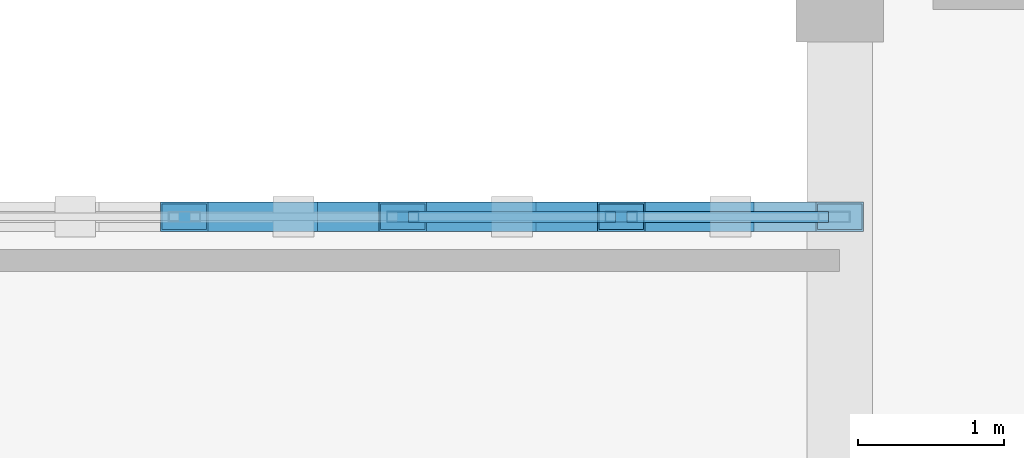
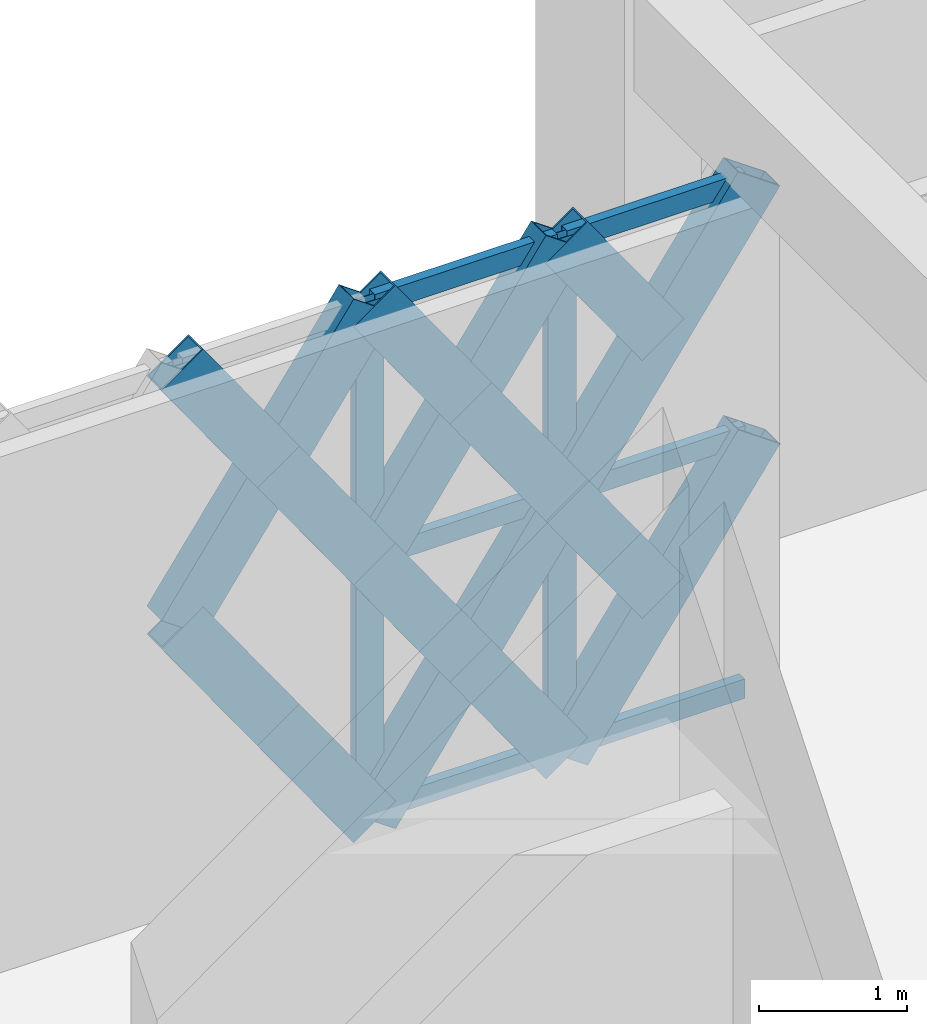
# One storey, part 52 of 140: 23 members, 1 element without a shape of its own.
"""IFC4 building model written with IfcOpenShell, lengths in metres."""

import ifcopenshell
import ifcopenshell.guid

model = None  # the IFC model being written
_history = None  # IfcOwnerHistory: only IFC2X3 demands one
_inside = {}  # id of a spatial element -> (the spatial element, [elements in it])
_under = {}  # id of a project, library or spatial element -> (it, [spatial elements below it])
_declared = {}  # id of a project -> (the project, [libraries it declares])
_typed = {}  # id of a type object -> (the type object, [elements of that type])
_made_of = {}  # id of a material, layer set ... -> (it, [elements and type objects made of it])


def new_model(schema):
    """Start an empty IFC model of exactly this schema.

    Asked for "IFC4X3", IfcOpenShell would pick the latest addendum, in which some entities
    have other attributes; the version numbers below select the first issue.
    IFC2X3 requires an IfcOwnerHistory on every rooted entity: one is made here for all.
    """
    global model, _history
    if schema == "IFC4X3":
        model = ifcopenshell.file(schema_version=(4, 3, 0, 0))
    else:
        model = ifcopenshell.file(schema=schema)
    _inside.clear()
    _under.clear()
    _declared.clear()
    _typed.clear()
    _made_of.clear()
    _history = None
    if model.schema == "IFC2X3":
        org = make("IfcOrganization", Name="unknown")
        user = make(
            "IfcPersonAndOrganization",
            ThePerson=make("IfcPerson", FamilyName="unknown"),
            TheOrganization=org,
        )
        app = make(
            "IfcApplication",
            ApplicationDeveloper=org,
            Version="unknown",
            ApplicationFullName="unknown",
            ApplicationIdentifier="unknown",
        )
        _history = make(
            "IfcOwnerHistory",
            OwningUser=user,
            OwningApplication=app,
            ChangeAction="ADDED",
            CreationDate=0,
        )
    return model


def make(cls, **values):
    """One entity of the class cls with the attributes given. An attribute that is None is left unset."""
    return model.create_entity(
        cls, **{name: value for name, value in values.items() if value is not None}
    )


def rooted(cls, **values):
    """An entity with a GlobalId (a new one), such as an element, a storey or a relation."""
    return make(cls, GlobalId=ifcopenshell.guid.new(), OwnerHistory=_history, **values)


def si_unit(unit_type, name, prefix=None):
    """IfcSIUnit, for example si_unit("LENGTHUNIT", "METRE", prefix="MILLI")."""
    return make("IfcSIUnit", UnitType=unit_type, Prefix=prefix, Name=name)


def assignment(units):
    """IfcUnitAssignment: the units of a project."""
    return None if units is None else make("IfcUnitAssignment", Units=units)


def point(xyz):
    """IfcCartesianPoint."""
    return None if xyz is None else make("IfcCartesianPoint", Coordinates=xyz)


def direction(xyz):
    """IfcDirection."""
    return None if xyz is None else make("IfcDirection", DirectionRatios=xyz)


def frame(location, z_axis=None, x_axis=None):
    """IfcAxis2Placement3D, a coordinate frame: its origin and axes. An axis left out is left unset."""
    return make(
        "IfcAxis2Placement3D",
        Location=point(location),
        Axis=direction(z_axis),
        RefDirection=direction(x_axis),
    )


def frame_2d(location, x_axis=None):
    """IfcAxis2Placement2D, a coordinate frame in the plane: its origin and x axis."""
    return make(
        "IfcAxis2Placement2D", Location=point(location), RefDirection=direction(x_axis)
    )


def origin():
    """The frame at (0, 0, 0) with its axes left unset."""
    return frame((0.0, 0.0, 0.0))


def origin_2d():
    """The frame at (0, 0) in the plane with its x axis left unset."""
    return frame_2d((0.0, 0.0))


def place(relative_to, where):
    """IfcLocalPlacement: puts the frame where relative to a parent placement (None: the world)."""
    return make(
        "IfcLocalPlacement", PlacementRelTo=relative_to, RelativePlacement=where
    )


def context(
    kind, dimensions, precision=None, world=None, true_north=None, identifier=None
):
    """IfcGeometricRepresentationContext, for example the 3D "Model" context."""
    return make(
        "IfcGeometricRepresentationContext",
        ContextIdentifier=identifier,
        ContextType=kind,
        CoordinateSpaceDimension=dimensions,
        Precision=precision,
        WorldCoordinateSystem=world,
        TrueNorth=true_north,
    )


def subcontext(parent, identifier, kind, view, scale=None):
    """IfcGeometricRepresentationSubContext, for example "Body" below "Model"."""
    return make(
        "IfcGeometricRepresentationSubContext",
        ContextIdentifier=identifier,
        ContextType=kind,
        ParentContext=parent,
        TargetScale=scale,
        TargetView=view,
    )


def project(units=None, contexts=None):
    """IfcProject with its units and contexts."""
    return rooted(
        "IfcProject",
        Name="project",
        RepresentationContexts=contexts,
        UnitsInContext=assignment(units),
    )


def spatial(cls, under=None, at=None, **own):
    """A site, building, storey or space (cls), placed at a placement, below another one or the project."""
    s = rooted(cls, ObjectPlacement=at, **own)
    if under is not None:
        _under.setdefault(under.id(), (under, []))[1].append(s)
    return s


def profile(cls, at=None, kind="AREA", **sizes):
    """A parametric profile (cls). Its sizes go by their IFC names, for example OverallWidth=200.0."""
    return make(cls, ProfileType=kind, Position=at, **sizes)


def hollow_rectangle(**sizes):
    """IfcRectangleHollowProfileDef."""
    return profile("IfcRectangleHollowProfileDef", **sizes)


def extrude(swept, where, along, depth):
    """IfcExtrudedAreaSolid: the profile swept, set in the frame where, extruded along a direction by depth."""
    return make(
        "IfcExtrudedAreaSolid",
        SweptArea=swept,
        Position=where,
        ExtrudedDirection=direction(along),
        Depth=depth,
    )


def shape(context_of_items, identifier, shape_type, items):
    """IfcShapeRepresentation: the items that make up one representation, for example the "Body"."""
    return make(
        "IfcShapeRepresentation",
        ContextOfItems=context_of_items,
        RepresentationIdentifier=identifier,
        RepresentationType=shape_type,
        Items=items,
    )


def material(Name=None, Category=None):
    """IfcMaterial."""
    return make("IfcMaterial", Name=Name, Category=Category)


def material_profile(
    of_material, cross_section, Name=None, Category=None, Priority=None
):
    """IfcMaterialProfile: a cross section and its material."""
    return make(
        "IfcMaterialProfile",
        Name=Name,
        Material=of_material,
        Profile=cross_section,
        Priority=Priority,
        Category=Category,
    )


def profile_set(profiles, Name=None, composite=None):
    """IfcMaterialProfileSet."""
    return make(
        "IfcMaterialProfileSet",
        Name=Name,
        MaterialProfiles=profiles,
        CompositeProfile=composite,
    )


def made_of(thing, what):
    """Note that an element or type object is made of a material, layer set ...; save() writes the relation."""
    if what is not None:
        _made_of.setdefault(what.id(), (what, []))[1].append(thing)
    return thing


def type_object(cls, material=None, **own):
    """A type object (cls), such as IfcWallType, which elements share."""
    return made_of(rooted(cls, **own), material)


def element(
    cls,
    number,
    at=None,
    inside=None,
    cuts=None,
    type_object=None,
    material=None,
    context=None,
    identifier="Body",
    shape_type=None,
    held_by="IfcProductDefinitionShape",
    body=None,
    shapes=None,
    **own,
):
    """One element of the class cls, such as IfcWall. Its Tag is "e" and its number.

    at: its placement. inside: the storey or other place that contains it. cuts: it is an
    opening in that element (IfcRelVoidsElement). A single representation is given by context,
    identifier, shape_type and body (its items); several are given by shapes. held_by: the class
    of the entity that holds the representations. save() writes the other relations.
    """
    e = rooted(cls, Tag="e%d" % number, ObjectPlacement=at, **own)
    if body is not None:
        shapes = [shape(context, identifier, shape_type, body)]
    if shapes is not None:
        e.Representation = make(held_by, Representations=shapes)
    if inside is not None:
        _inside.setdefault(inside.id(), (inside, []))[1].append(e)
    if cuts is not None:
        rooted(
            "IfcRelVoidsElement", RelatingBuildingElement=cuts, RelatedOpeningElement=e
        )
    if type_object is not None:
        _typed.setdefault(type_object.id(), (type_object, []))[1].append(e)
    return made_of(e, material)


def aggregate(whole, parts):
    """IfcRelAggregates: a whole, such as a stair, and the parts it consists of."""
    return rooted("IfcRelAggregates", RelatingObject=whole, RelatedObjects=parts)


def save(model, path):
    """Write the relations noted so far, then the file.

    IfcRelAggregates (storeys below a building ...), IfcRelContainedInSpatialStructure (elements
    in a storey), IfcRelDefinesByType, IfcRelAssociatesMaterial and IfcRelDeclares: one each for
    every whole, place, type object, material and project.
    """
    for whole, parts in _under.values():
        aggregate(whole, parts)
    for where, things in _inside.values():
        rooted(
            "IfcRelContainedInSpatialStructure",
            RelatedElements=things,
            RelatingStructure=where,
        )
    for kind, things in _typed.values():
        rooted("IfcRelDefinesByType", RelatedObjects=things, RelatingType=kind)
    for what, things in _made_of.values():
        rooted("IfcRelAssociatesMaterial", RelatedObjects=things, RelatingMaterial=what)
    for by, libraries in _declared.values():
        rooted("IfcRelDeclares", RelatingContext=by, RelatedDefinitions=libraries)
    model.write(path)


model = new_model("IFC4")

# Units and contexts
model_context = context("Model", 3, precision=1e-05, world=origin(), true_north=direction((0.0, 1.0)))
body_context = subcontext(model_context, "Body", "Model", "MODEL_VIEW")
ifc_project = project(units=[si_unit("LENGTHUNIT", "METRE"), si_unit("AREAUNIT", "SQUARE_METRE"), si_unit("VOLUMEUNIT", "CUBIC_METRE"), si_unit("PLANEANGLEUNIT", "RADIAN"), si_unit("MASSUNIT", "GRAM", prefix="KILO")], contexts=[model_context])

# Site, building, storey
site_placement = place(None, origin())
site = spatial("IfcSite", under=ifc_project, at=site_placement, CompositionType="ELEMENT")
building_placement = place(site_placement, origin())
building = spatial("IfcBuilding", under=site, at=building_placement, Name="Haizhuo Lancet Aquarium", CompositionType="ELEMENT")
storey_placement = place(building_placement, origin())
storey = spatial("IfcBuildingStorey", under=building, at=storey_placement, Name="L00", CompositionType="ELEMENT", Elevation=0.0)

# Curtain wall, members
ifc_material_1 = material(Name="Aluminium 6063-T6", Category="aluminium")
curtain_wall_type = type_object("IfcCurtainWallType", Name="CWD-9000x4260", PredefinedType="NOTDEFINED", material=ifc_material_1)
curtain_wall_placement = place(storey_placement, origin())
curtain_wall = element("IfcCurtainWall", 1, at=curtain_wall_placement, inside=storey, type_object=curtain_wall_type, Name="L00 curtain wall CW-V5-L00-116", PredefinedType="NOTDEFINED")
ifc_material_profile_1 = material_profile(ifc_material_1, hollow_rectangle(XDim=0.074951171875, YDim=0.219970703125, WallThickness=0.0048828125, at=origin_2d()), Name="ALU-M 75x220x5")
ifc_profile_set_1 = profile_set([ifc_material_profile_1], Name="Aluminium 6063-T6")
member_type_1 = type_object("IfcMemberType", Name="CW-MUL-2", PredefinedType="MULLION", material=ifc_profile_set_1)
member_1_placement = place(storey_placement, frame((-21.0, 54.0, 0.0), z_axis=(0.0, 0.0, 1.0), x_axis=(0.0, 1.0, 0.0)))
member_1 = element("IfcMember", 2, at=member_1_placement, type_object=member_type_1, Name="CWD-90x42 mullion 5", PredefinedType="MULLION", context=body_context, shape_type="SweptSolid", body=[
    extrude(hollow_rectangle(XDim=0.074951171875, YDim=0.219970703125, WallThickness=0.0048828125, at=origin_2d()), origin(), (0.0, 0.0, 1.0), 4.2548828125),
])
member_2_placement = place(storey_placement, frame((-19.5, 54.0, 0.0), z_axis=(0.0, 0.0, 1.0), x_axis=(0.0, 1.0, 0.0)))
member_2 = element("IfcMember", 3, at=member_2_placement, type_object=member_type_1, Name="CWD-90x42 mullion 6", PredefinedType="MULLION", context=body_context, shape_type="SweptSolid", body=[
    extrude(hollow_rectangle(XDim=0.074951171875, YDim=0.219970703125, WallThickness=0.0048828125, at=origin_2d()), origin(), (0.0, 0.0, 1.0), 4.2548828125),
])
ifc_material_profile_2 = material_profile(ifc_material_1, hollow_rectangle(XDim=0.074951171875, YDim=0.159912109375, WallThickness=0.00390625, at=origin_2d()), Name="ALU-T 75x160x4")
ifc_profile_set_2 = profile_set([ifc_material_profile_2], Name="Aluminium 6063-T6")
member_type_2 = type_object("IfcMemberType", Name="CW-TRN-2", PredefinedType="NOTDEFINED", material=ifc_profile_set_2)
member_3_placement = place(storey_placement, frame((-20.9619140625, 54.0, 0.037109375), z_axis=(1.0, 0.0, 0.0), x_axis=(0.0, 1.0, 0.0)))
member_3 = element("IfcMember", 4, at=member_3_placement, type_object=member_type_2, Name="CWD-90x42 transom 5.1", ObjectType="TRANSOM", PredefinedType="USERDEFINED", context=body_context, shape_type="SweptSolid", body=[
    extrude(hollow_rectangle(XDim=0.074951171875, YDim=0.159912109375, WallThickness=0.00390625, at=origin_2d()), origin(), (0.0, 0.0, 1.0), 1.423828125),
])
member_4_placement = place(storey_placement, frame((-20.9619140625, 54.0, 2.126953125), z_axis=(1.0, 0.0, 0.0), x_axis=(0.0, 1.0, 0.0)))
member_4 = element("IfcMember", 5, at=member_4_placement, type_object=member_type_2, Name="CWD-90x42 transom 5.2", ObjectType="TRANSOM", PredefinedType="USERDEFINED", context=body_context, shape_type="SweptSolid", body=[
    extrude(hollow_rectangle(XDim=0.074951171875, YDim=0.159912109375, WallThickness=0.00390625, at=origin_2d()), origin(), (0.0, 0.0, 1.0), 1.423828125),
])
member_5_placement = place(storey_placement, frame((-20.9619140625, 54.0, 4.218017578125), z_axis=(1.0, 0.0, 0.0), x_axis=(0.0, 1.0, 0.0)))
member_5 = element("IfcMember", 6, at=member_5_placement, type_object=member_type_2, Name="CWD-90x42 transom 5.3", ObjectType="TRANSOM", PredefinedType="USERDEFINED", context=body_context, shape_type="SweptSolid", body=[
    extrude(hollow_rectangle(XDim=0.074951171875, YDim=0.159912109375, WallThickness=0.00390625, at=origin_2d()), origin(), (0.0, 0.0, 1.0), 1.423828125),
])
member_6_placement = place(storey_placement, frame((-19.4619140625, 54.0, 0.037109375), z_axis=(1.0, 0.0, 0.0), x_axis=(0.0, 1.0, 0.0)))
member_6 = element("IfcMember", 7, at=member_6_placement, type_object=member_type_2, Name="CWD-90x42 transom 6.1", ObjectType="TRANSOM", PredefinedType="USERDEFINED", context=body_context, shape_type="SweptSolid", body=[
    extrude(hollow_rectangle(XDim=0.074951171875, YDim=0.159912109375, WallThickness=0.00390625, at=origin_2d()), origin(), (0.0, 0.0, 1.0), 1.386962890625),
])
member_7_placement = place(storey_placement, frame((-19.4619140625, 54.0, 2.126953125), z_axis=(1.0, 0.0, 0.0), x_axis=(0.0, 1.0, 0.0)))
member_7 = element("IfcMember", 8, at=member_7_placement, type_object=member_type_2, Name="CWD-90x42 transom 6.2", ObjectType="TRANSOM", PredefinedType="USERDEFINED", context=body_context, shape_type="SweptSolid", body=[
    extrude(hollow_rectangle(XDim=0.074951171875, YDim=0.159912109375, WallThickness=0.00390625, at=origin_2d()), origin(), (0.0, 0.0, 1.0), 1.386962890625),
])
member_8_placement = place(storey_placement, frame((-19.4619140625, 54.0, 4.218017578125), z_axis=(1.0, 0.0, 0.0), x_axis=(0.0, 1.0, 0.0)))
member_8 = element("IfcMember", 9, at=member_8_placement, type_object=member_type_2, Name="CWD-90x42 transom 6.3", ObjectType="TRANSOM", PredefinedType="USERDEFINED", context=body_context, shape_type="SweptSolid", body=[
    extrude(hollow_rectangle(XDim=0.074951171875, YDim=0.159912109375, WallThickness=0.00390625, at=origin_2d()), origin(), (0.0, 0.0, 1.0), 1.386962890625),
])
aggregate(curtain_wall, [member_1, member_2, member_3, member_4, member_5, member_6, member_7, member_8])

# Members
ifc_material_2 = material(Name="Steel S355", Category="steel")
ifc_material_profile_3 = material_profile(ifc_material_2, hollow_rectangle(XDim=0.199951171875, YDim=0.39990234375, WallThickness=0.011962890625, at=origin_2d()), Name="RHS 200x400x12")
ifc_profile_set_3 = profile_set([ifc_material_profile_3], Name="Steel S355")
member_type_3 = type_object("IfcMemberType", Name="MEM-LB-RHS200x400", PredefinedType="BRACE", material=ifc_profile_set_3)
member_9_placement = place(storey_placement, frame((-21.0, 54.0, 0.0), z_axis=(-0.576506354413, 0.0, 0.817092665076), x_axis=(0.0, -1.0, 0.0)))
element("IfcMember", 10, at=member_9_placement, inside=storey, type_object=member_type_3, Name="Gothic lancet split diagonal brace CW-V5-L00-116 7B1", PredefinedType="BRACE", context=body_context, shape_type="SweptSolid", body=[
    extrude(hollow_rectangle(XDim=0.199951171875, YDim=0.39990234375, WallThickness=0.011962890625, at=origin_2d()), origin(), (0.0, 0.0, 1.0), 1.301025390625),
])
member_10_placement = place(storey_placement, frame((-21.75, 54.0, 1.06298828125), z_axis=(-0.57615291237, 0.0, 0.817341924514), x_axis=(0.0, -1.0, 0.0)))
element("IfcMember", 11, at=member_10_placement, inside=storey, type_object=member_type_3, Name="Gothic lancet split diagonal brace CW-V5-L00-116 7B2", PredefinedType="BRACE", context=body_context, shape_type="SweptSolid", body=[
    extrude(hollow_rectangle(XDim=0.199951171875, YDim=0.39990234375, WallThickness=0.011962890625, at=origin_2d()), origin(), (0.0, 0.0, 1.0), 1.3017578125),
])
member_11_placement = place(storey_placement, frame((-22.5, 54.0, 2.126953125), z_axis=(0.57615291237, 0.0, 0.817341924514), x_axis=(0.0, 1.0, 0.0)))
element("IfcMember", 12, at=member_11_placement, inside=storey, type_object=member_type_3, Name="Gothic lancet continuous diagonal brace CW-V5-L00-116 8A", PredefinedType="BRACE", context=body_context, shape_type="SweptSolid", body=[
    extrude(hollow_rectangle(XDim=0.199951171875, YDim=0.39990234375, WallThickness=0.011962890625, at=origin_2d()), origin(), (0.0, 0.0, 1.0), 2.603515625),
])
for number, where, z_axis, x_axis, name in (
    (13, (-21.0, 54.0, 2.126953125), (-0.57615291237, 0.0, 0.817341924514), (0.0, -1.0, 0.0), "Gothic lancet split diagonal brace CW-V5-L00-116 8B1"),
    (14, (-21.75, 54.0, 3.19091796875), (-0.57615291237, 0.0, 0.817341924514), (0.0, -1.0, 0.0), "Gothic lancet split diagonal brace CW-V5-L00-116 8B2"),
):
    element("IfcMember", number, at=place(storey_placement, frame(where, z_axis=z_axis, x_axis=x_axis)), inside=storey, type_object=member_type_3, Name=name, PredefinedType="BRACE", context=body_context, shape_type="SweptSolid", body=[
        extrude(hollow_rectangle(XDim=0.199951171875, YDim=0.39990234375, WallThickness=0.011962890625, at=origin_2d()), origin(), (0.0, 0.0, 1.0), 1.3017578125),
    ])
member_12_placement = place(storey_placement, frame((-21.0, 54.0, 0.0), z_axis=(0.576329592678, 0.0, 0.817217352118), x_axis=(0.0, 1.0, 0.0)))
element("IfcMember", 15, at=member_12_placement, inside=storey, type_object=member_type_3, Name="Gothic lancet continuous diagonal brace CW-V5-L00-116 9A", PredefinedType="BRACE", context=body_context, shape_type="SweptSolid", body=[
    extrude(hollow_rectangle(XDim=0.199951171875, YDim=0.39990234375, WallThickness=0.011962890625, at=origin_2d()), origin(), (0.0, 0.0, 1.0), 2.602783203125),
])
member_13_placement = place(storey_placement, frame((-19.5, 54.0, 0.0), z_axis=(-0.576506354413, 0.0, 0.817092665076), x_axis=(0.0, -1.0, 0.0)))
element("IfcMember", 16, at=member_13_placement, inside=storey, type_object=member_type_3, Name="Gothic lancet split diagonal brace CW-V5-L00-116 9B1", PredefinedType="BRACE", context=body_context, shape_type="SweptSolid", body=[
    extrude(hollow_rectangle(XDim=0.199951171875, YDim=0.39990234375, WallThickness=0.011962890625, at=origin_2d()), origin(), (0.0, 0.0, 1.0), 1.301025390625),
])
member_14_placement = place(storey_placement, frame((-20.25, 54.0, 1.06298828125), z_axis=(-0.57615291237, 0.0, 0.817341924514), x_axis=(0.0, -1.0, 0.0)))
element("IfcMember", 17, at=member_14_placement, inside=storey, type_object=member_type_3, Name="Gothic lancet split diagonal brace CW-V5-L00-116 9B2", PredefinedType="BRACE", context=body_context, shape_type="SweptSolid", body=[
    extrude(hollow_rectangle(XDim=0.199951171875, YDim=0.39990234375, WallThickness=0.011962890625, at=origin_2d()), origin(), (0.0, 0.0, 1.0), 1.3017578125),
])
member_15_placement = place(storey_placement, frame((-21.0, 54.0, 2.126953125), z_axis=(0.57615291237, 0.0, 0.817341924514), x_axis=(0.0, 1.0, 0.0)))
element("IfcMember", 18, at=member_15_placement, inside=storey, type_object=member_type_3, Name="Gothic lancet continuous diagonal brace CW-V5-L00-116 10A", PredefinedType="BRACE", context=body_context, shape_type="SweptSolid", body=[
    extrude(hollow_rectangle(XDim=0.199951171875, YDim=0.39990234375, WallThickness=0.011962890625, at=origin_2d()), origin(), (0.0, 0.0, 1.0), 2.603515625),
])
for number, where, z_axis, x_axis, name in (
    (19, (-19.5, 54.0, 2.126953125), (-0.57615291237, 0.0, 0.817341924514), (0.0, -1.0, 0.0), "Gothic lancet split diagonal brace CW-V5-L00-116 10B1"),
    (20, (-20.25, 54.0, 3.19091796875), (-0.57615291237, 0.0, 0.817341924514), (0.0, -1.0, 0.0), "Gothic lancet split diagonal brace CW-V5-L00-116 10B2"),
):
    element("IfcMember", number, at=place(storey_placement, frame(where, z_axis=z_axis, x_axis=x_axis)), inside=storey, type_object=member_type_3, Name=name, PredefinedType="BRACE", context=body_context, shape_type="SweptSolid", body=[
        extrude(hollow_rectangle(XDim=0.199951171875, YDim=0.39990234375, WallThickness=0.011962890625, at=origin_2d()), origin(), (0.0, 0.0, 1.0), 1.3017578125),
    ])
member_16_placement = place(storey_placement, frame((-19.5, 54.0, 0.0), z_axis=(0.576329592678, 0.0, 0.817217352118), x_axis=(0.0, 1.0, 0.0)))
element("IfcMember", 21, at=member_16_placement, inside=storey, type_object=member_type_3, Name="Gothic lancet continuous diagonal brace CW-V5-L00-116 11A", PredefinedType="BRACE", context=body_context, shape_type="SweptSolid", body=[
    extrude(hollow_rectangle(XDim=0.199951171875, YDim=0.39990234375, WallThickness=0.011962890625, at=origin_2d()), origin(), (0.0, 0.0, 1.0), 2.602783203125),
])
member_17_placement = place(storey_placement, frame((-18.75, 54.0, 1.06298828125), z_axis=(-0.57615291237, 0.0, 0.817341924514), x_axis=(0.0, -1.0, 0.0)))
element("IfcMember", 22, at=member_17_placement, inside=storey, type_object=member_type_3, Name="Gothic lancet split diagonal brace CW-V5-L00-116 11B2", PredefinedType="BRACE", context=body_context, shape_type="SweptSolid", body=[
    extrude(hollow_rectangle(XDim=0.199951171875, YDim=0.39990234375, WallThickness=0.011962890625, at=origin_2d()), origin(), (0.0, 0.0, 1.0), 1.3017578125),
])
member_18_placement = place(storey_placement, frame((-19.5, 54.0, 2.126953125), z_axis=(0.57615291237, 0.0, 0.817341924514), x_axis=(0.0, 1.0, 0.0)))
element("IfcMember", 23, at=member_18_placement, inside=storey, type_object=member_type_3, Name="Gothic lancet continuous diagonal brace CW-V5-L00-116 12A", PredefinedType="BRACE", context=body_context, shape_type="SweptSolid", body=[
    extrude(hollow_rectangle(XDim=0.199951171875, YDim=0.39990234375, WallThickness=0.011962890625, at=origin_2d()), origin(), (0.0, 0.0, 1.0), 2.603515625),
])
member_19_placement = place(storey_placement, frame((-18.75, 54.0, 3.19091796875), z_axis=(-0.57615291237, 0.0, 0.817341924514), x_axis=(0.0, -1.0, 0.0)))
element("IfcMember", 24, at=member_19_placement, inside=storey, type_object=member_type_3, Name="Gothic lancet split diagonal brace CW-V5-L00-116 12B2", PredefinedType="BRACE", context=body_context, shape_type="SweptSolid", body=[
    extrude(hollow_rectangle(XDim=0.199951171875, YDim=0.39990234375, WallThickness=0.011962890625, at=origin_2d()), origin(), (0.0, 0.0, 1.0), 1.3017578125),
])

save(model, "model.ifc")
